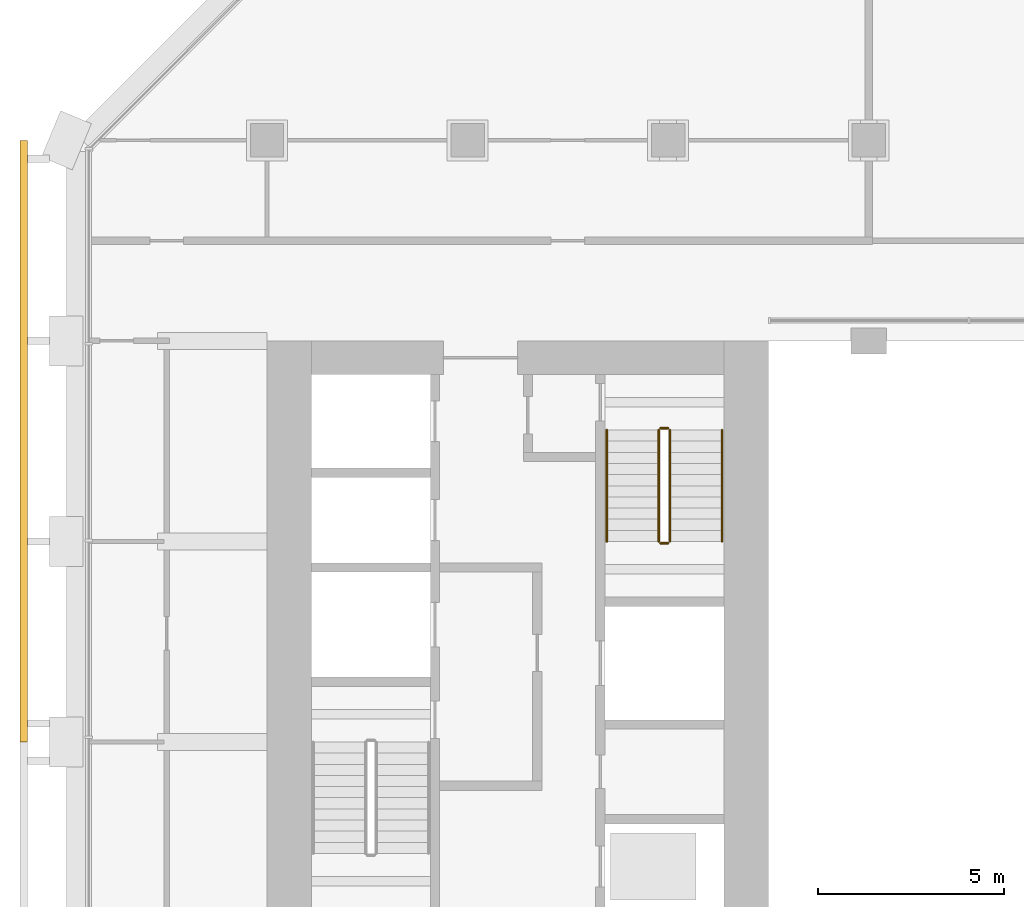
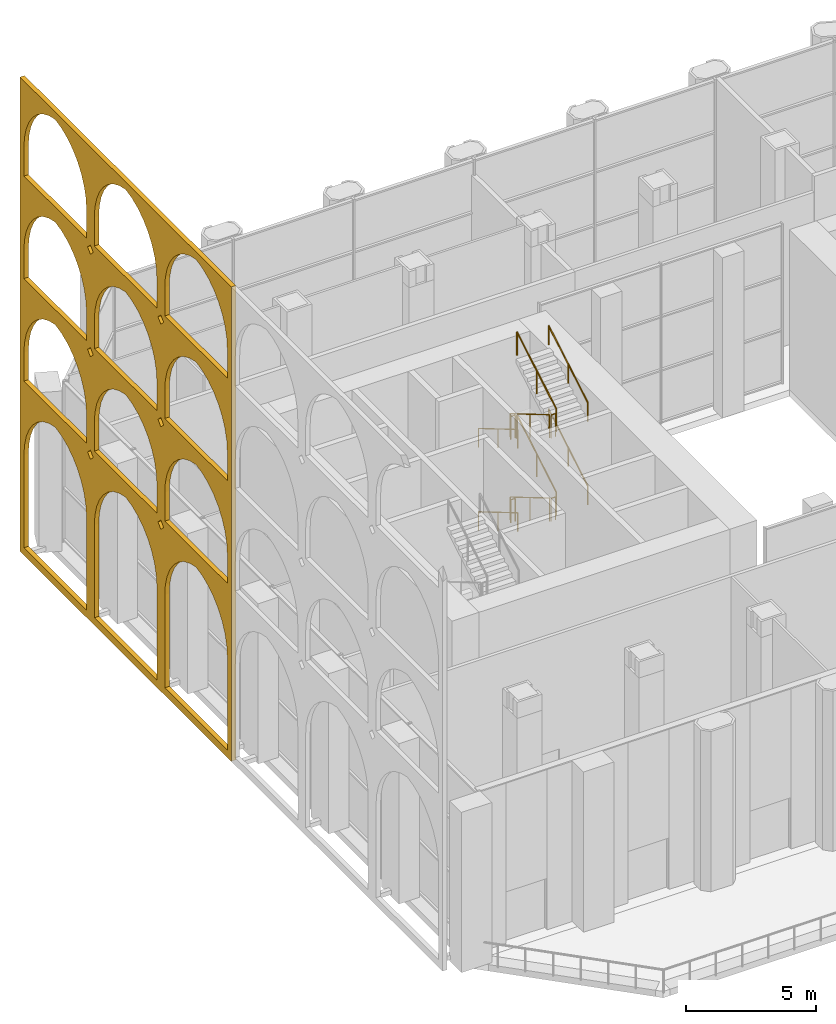
# One storey, part 15 of 20: 12 railings, 1 covering.
"""IFC4 building model written with IfcOpenShell, lengths in metres."""

import ifcopenshell
import ifcopenshell.guid

model = None  # the IFC model being written
_history = None  # IfcOwnerHistory: only IFC2X3 demands one
_inside = {}  # id of a spatial element -> (the spatial element, [elements in it])
_under = {}  # id of a project, library or spatial element -> (it, [spatial elements below it])
_declared = {}  # id of a project -> (the project, [libraries it declares])
_typed = {}  # id of a type object -> (the type object, [elements of that type])
_made_of = {}  # id of a material, layer set ... -> (it, [elements and type objects made of it])


def new_model(schema):
    """Start an empty IFC model of exactly this schema.

    Asked for "IFC4X3", IfcOpenShell would pick the latest addendum, in which some entities
    have other attributes; the version numbers below select the first issue.
    IFC2X3 requires an IfcOwnerHistory on every rooted entity: one is made here for all.
    """
    global model, _history
    if schema == "IFC4X3":
        model = ifcopenshell.file(schema_version=(4, 3, 0, 0))
    else:
        model = ifcopenshell.file(schema=schema)
    _inside.clear()
    _under.clear()
    _declared.clear()
    _typed.clear()
    _made_of.clear()
    _history = None
    if model.schema == "IFC2X3":
        org = make("IfcOrganization", Name="unknown")
        user = make(
            "IfcPersonAndOrganization",
            ThePerson=make("IfcPerson", FamilyName="unknown"),
            TheOrganization=org,
        )
        app = make(
            "IfcApplication",
            ApplicationDeveloper=org,
            Version="unknown",
            ApplicationFullName="unknown",
            ApplicationIdentifier="unknown",
        )
        _history = make(
            "IfcOwnerHistory",
            OwningUser=user,
            OwningApplication=app,
            ChangeAction="ADDED",
            CreationDate=0,
        )
    return model


def make(cls, **values):
    """One entity of the class cls with the attributes given. An attribute that is None is left unset."""
    return model.create_entity(
        cls, **{name: value for name, value in values.items() if value is not None}
    )


def rooted(cls, **values):
    """An entity with a GlobalId (a new one), such as an element, a storey or a relation."""
    return make(cls, GlobalId=ifcopenshell.guid.new(), OwnerHistory=_history, **values)


def si_unit(unit_type, name, prefix=None):
    """IfcSIUnit, for example si_unit("LENGTHUNIT", "METRE", prefix="MILLI")."""
    return make("IfcSIUnit", UnitType=unit_type, Prefix=prefix, Name=name)


def assignment(units):
    """IfcUnitAssignment: the units of a project."""
    return None if units is None else make("IfcUnitAssignment", Units=units)


def point(xyz):
    """IfcCartesianPoint."""
    return None if xyz is None else make("IfcCartesianPoint", Coordinates=xyz)


def direction(xyz):
    """IfcDirection."""
    return None if xyz is None else make("IfcDirection", DirectionRatios=xyz)


def frame(location, z_axis=None, x_axis=None):
    """IfcAxis2Placement3D, a coordinate frame: its origin and axes. An axis left out is left unset."""
    return make(
        "IfcAxis2Placement3D",
        Location=point(location),
        Axis=direction(z_axis),
        RefDirection=direction(x_axis),
    )


def frame_2d(location, x_axis=None):
    """IfcAxis2Placement2D, a coordinate frame in the plane: its origin and x axis."""
    return make(
        "IfcAxis2Placement2D", Location=point(location), RefDirection=direction(x_axis)
    )


def origin():
    """The frame at (0, 0, 0) with its axes left unset."""
    return frame((0.0, 0.0, 0.0))


def origin_2d():
    """The frame at (0, 0) in the plane with its x axis left unset."""
    return frame_2d((0.0, 0.0))


def place(relative_to, where):
    """IfcLocalPlacement: puts the frame where relative to a parent placement (None: the world)."""
    return make(
        "IfcLocalPlacement", PlacementRelTo=relative_to, RelativePlacement=where
    )


def context(
    kind, dimensions, precision=None, world=None, true_north=None, identifier=None
):
    """IfcGeometricRepresentationContext, for example the 3D "Model" context."""
    return make(
        "IfcGeometricRepresentationContext",
        ContextIdentifier=identifier,
        ContextType=kind,
        CoordinateSpaceDimension=dimensions,
        Precision=precision,
        WorldCoordinateSystem=world,
        TrueNorth=true_north,
    )


def subcontext(parent, identifier, kind, view, scale=None):
    """IfcGeometricRepresentationSubContext, for example "Body" below "Model"."""
    return make(
        "IfcGeometricRepresentationSubContext",
        ContextIdentifier=identifier,
        ContextType=kind,
        ParentContext=parent,
        TargetScale=scale,
        TargetView=view,
    )


def project(units=None, contexts=None):
    """IfcProject with its units and contexts."""
    return rooted(
        "IfcProject",
        Name="project",
        RepresentationContexts=contexts,
        UnitsInContext=assignment(units),
    )


def spatial(cls, under=None, at=None, **own):
    """A site, building, storey or space (cls), placed at a placement, below another one or the project."""
    s = rooted(cls, ObjectPlacement=at, **own)
    if under is not None:
        _under.setdefault(under.id(), (under, []))[1].append(s)
    return s


def polyline(points):
    """IfcPolyline through the points."""
    return make("IfcPolyline", Points=[point(p) for p in points])


def profile(cls, at=None, kind="AREA", **sizes):
    """A parametric profile (cls). Its sizes go by their IFC names, for example OverallWidth=200.0."""
    return make(cls, ProfileType=kind, Position=at, **sizes)


def circle(**sizes):
    """IfcCircleProfileDef."""
    return profile("IfcCircleProfileDef", **sizes)


def outline(outer, holes=None, kind="AREA"):
    """IfcArbitraryClosedProfileDef: a profile drawn as a closed curve; with holes, ...WithVoids."""
    if holes is None:
        return make("IfcArbitraryClosedProfileDef", ProfileType=kind, OuterCurve=outer)
    return make(
        "IfcArbitraryProfileDefWithVoids",
        ProfileType=kind,
        OuterCurve=outer,
        InnerCurves=holes,
    )


def extrude(swept, where, along, depth):
    """IfcExtrudedAreaSolid: the profile swept, set in the frame where, extruded along a direction by depth."""
    return make(
        "IfcExtrudedAreaSolid",
        SweptArea=swept,
        Position=where,
        ExtrudedDirection=direction(along),
        Depth=depth,
    )


def shape(context_of_items, identifier, shape_type, items):
    """IfcShapeRepresentation: the items that make up one representation, for example the "Body"."""
    return make(
        "IfcShapeRepresentation",
        ContextOfItems=context_of_items,
        RepresentationIdentifier=identifier,
        RepresentationType=shape_type,
        Items=items,
    )


def material(Name=None, Category=None):
    """IfcMaterial."""
    return make("IfcMaterial", Name=Name, Category=Category)


def layer(
    of_material, thickness, ventilated=None, Name=None, Category=None, Priority=None
):
    """IfcMaterialLayer: one layer of a wall or slab, of a material (None: an air gap)."""
    return make(
        "IfcMaterialLayer",
        Material=of_material,
        LayerThickness=thickness,
        IsVentilated=ventilated,
        Name=Name,
        Category=Category,
        Priority=Priority,
    )


def layer_set(layers, Name=None):
    """IfcMaterialLayerSet."""
    return make("IfcMaterialLayerSet", MaterialLayers=layers, LayerSetName=Name)


def made_of(thing, what):
    """Note that an element or type object is made of a material, layer set ...; save() writes the relation."""
    if what is not None:
        _made_of.setdefault(what.id(), (what, []))[1].append(thing)
    return thing


def type_object(cls, material=None, **own):
    """A type object (cls), such as IfcWallType, which elements share."""
    return made_of(rooted(cls, **own), material)


def element(
    cls,
    number,
    at=None,
    inside=None,
    cuts=None,
    type_object=None,
    material=None,
    context=None,
    identifier="Body",
    shape_type=None,
    held_by="IfcProductDefinitionShape",
    body=None,
    shapes=None,
    **own,
):
    """One element of the class cls, such as IfcWall. Its Tag is "e" and its number.

    at: its placement. inside: the storey or other place that contains it. cuts: it is an
    opening in that element (IfcRelVoidsElement). A single representation is given by context,
    identifier, shape_type and body (its items); several are given by shapes. held_by: the class
    of the entity that holds the representations. save() writes the other relations.
    """
    e = rooted(cls, Tag="e%d" % number, ObjectPlacement=at, **own)
    if body is not None:
        shapes = [shape(context, identifier, shape_type, body)]
    if shapes is not None:
        e.Representation = make(held_by, Representations=shapes)
    if inside is not None:
        _inside.setdefault(inside.id(), (inside, []))[1].append(e)
    if cuts is not None:
        rooted(
            "IfcRelVoidsElement", RelatingBuildingElement=cuts, RelatedOpeningElement=e
        )
    if type_object is not None:
        _typed.setdefault(type_object.id(), (type_object, []))[1].append(e)
    return made_of(e, material)


def aggregate(whole, parts):
    """IfcRelAggregates: a whole, such as a stair, and the parts it consists of."""
    return rooted("IfcRelAggregates", RelatingObject=whole, RelatedObjects=parts)


def save(model, path):
    """Write the relations noted so far, then the file.

    IfcRelAggregates (storeys below a building ...), IfcRelContainedInSpatialStructure (elements
    in a storey), IfcRelDefinesByType, IfcRelAssociatesMaterial and IfcRelDeclares: one each for
    every whole, place, type object, material and project.
    """
    for whole, parts in _under.values():
        aggregate(whole, parts)
    for where, things in _inside.values():
        rooted(
            "IfcRelContainedInSpatialStructure",
            RelatedElements=things,
            RelatingStructure=where,
        )
    for kind, things in _typed.values():
        rooted("IfcRelDefinesByType", RelatedObjects=things, RelatingType=kind)
    for what, things in _made_of.values():
        rooted("IfcRelAssociatesMaterial", RelatedObjects=things, RelatingMaterial=what)
    for by, libraries in _declared.values():
        rooted("IfcRelDeclares", RelatingContext=by, RelatedDefinitions=libraries)
    model.write(path)


model = new_model("IFC4")

# Units and contexts
model_context = context("Model", 3, precision=1e-05, world=origin(), true_north=direction((0.0, 1.0)))
body_context = subcontext(model_context, "Body", "Model", "MODEL_VIEW")
ifc_project = project(units=[si_unit("LENGTHUNIT", "METRE"), si_unit("AREAUNIT", "SQUARE_METRE"), si_unit("VOLUMEUNIT", "CUBIC_METRE"), si_unit("PLANEANGLEUNIT", "RADIAN"), si_unit("MASSUNIT", "GRAM", prefix="KILO")], contexts=[model_context])

# Site, building, storey
site_placement = place(None, origin())
site = spatial("IfcSite", under=ifc_project, at=site_placement, CompositionType="ELEMENT")
building_placement = place(site_placement, origin())
building = spatial("IfcBuilding", under=site, at=building_placement, Name="Tabaq Tower and Sports Hall", CompositionType="ELEMENT")
storey_placement = place(building_placement, frame((0.0, 0.0, 130.60009765625)))
storey = spatial("IfcBuildingStorey", under=building, at=storey_placement, Name="L31", CompositionType="ELEMENT", Elevation=130.60009765625)

# Railings
ifc_material_1 = material(Name="Stainless steel", Category="steel")
railing_type_1 = type_object("IfcRailingType", Name="Stair guard", PredefinedType="GUARDRAIL", material=ifc_material_1)
railing_1_placement = place(storey_placement, frame((15.949951171875, 30.0, 0.17724609375)))
element("IfcRailing", 1, at=railing_1_placement, inside=storey, type_object=railing_type_1, Name="L31 ST2 stair guard 1", PredefinedType="GUARDRAIL", context=body_context, shape_type="SweptSolid", body=[
    extrude(circle(Radius=0.02392578125, at=origin_2d()), frame((0.0, 0.0, 1.076171875), z_axis=(0.0, -0.86092931783, 0.508724591208), x_axis=(1.0, 0.0, 0.0)), (0.0, 0.0, 1.0), 3.484619140625),
    extrude(circle(Radius=0.02099609375, at=origin_2d()), origin(), (0.0, 0.0, 1.0), 1.052001953125),
    extrude(circle(Radius=0.02099609375, at=origin_2d()), frame((0.0, -1.5, 0.88623046875)), (0.0, 0.0, 1.0), 1.052001953125),
    extrude(circle(Radius=0.02099609375, at=origin_2d()), frame((0.0, -3.0, 1.772705078125)), (0.0, 0.0, 1.0), 1.052001953125),
])
railing_2_placement = place(storey_placement, frame((16.0, 26.949951171875, 1.949951171875)))
element("IfcRailing", 2, at=railing_2_placement, inside=storey, type_object=railing_type_1, Name="L31 ST2 stair guard 2", PredefinedType="GUARDRAIL", context=body_context, shape_type="SweptSolid", body=[
    extrude(circle(Radius=0.02392578125, at=origin_2d()), frame((0.0, 0.0, 1.076171875), z_axis=(1.0, 0.0, 0.0), x_axis=(0.0, 1.0, 0.0)), (0.0, 0.0, 1.0), 0.199951171875),
    extrude(circle(Radius=0.02099609375, at=origin_2d()), origin(), (0.0, 0.0, 1.0), 1.052001953125),
    extrude(circle(Radius=0.02099609375, at=origin_2d()), frame((0.199951171875, 0.0, 0.0)), (0.0, 0.0, 1.0), 1.052001953125),
])
railing_3_placement = place(storey_placement, frame((16.25, 27.0, 2.127197265625)))
element("IfcRailing", 3, at=railing_3_placement, inside=storey, type_object=railing_type_1, Name="L31 ST2 stair guard 3", PredefinedType="GUARDRAIL", context=body_context, shape_type="SweptSolid", body=[
    extrude(circle(Radius=0.02392578125, at=origin_2d()), frame((0.0, 0.0, 1.076171875), z_axis=(0.0, 0.86092931783, 0.508724591208), x_axis=(-1.0, 0.0, 0.0)), (0.0, 0.0, 1.0), 3.484619140625),
    extrude(circle(Radius=0.02099609375, at=origin_2d()), origin(), (0.0, 0.0, 1.0), 1.052001953125),
    extrude(circle(Radius=0.02099609375, at=origin_2d()), frame((0.0, 1.5, 0.88623046875)), (0.0, 0.0, 1.0), 1.052001953125),
    extrude(circle(Radius=0.02099609375, at=origin_2d()), frame((0.0, 3.0, 1.772705078125)), (0.0, 0.0, 1.0), 1.052001953125),
])
railing_4_placement = place(storey_placement, frame((16.0, 30.050048828125, 3.89990234375)))
element("IfcRailing", 4, at=railing_4_placement, inside=storey, type_object=railing_type_1, Name="L31 ST2 stair guard 4", PredefinedType="GUARDRAIL", context=body_context, shape_type="SweptSolid", body=[
    extrude(circle(Radius=0.02392578125, at=origin_2d()), frame((0.0, 0.0, 1.076171875), z_axis=(1.0, 0.0, 0.0), x_axis=(0.0, 1.0, 0.0)), (0.0, 0.0, 1.0), 0.199951171875),
    extrude(circle(Radius=0.02099609375, at=origin_2d()), origin(), (0.0, 0.0, 1.0), 1.052001953125),
    extrude(circle(Radius=0.02099609375, at=origin_2d()), frame((0.199951171875, 0.0, 0.0)), (0.0, 0.0, 1.0), 1.052001953125),
])
railing_5_placement = place(storey_placement, frame((15.949951171875, 30.0, 4.0771484375)))
element("IfcRailing", 5, at=railing_5_placement, inside=storey, type_object=railing_type_1, Name="L31 ST2 stair guard 5", PredefinedType="GUARDRAIL", context=body_context, shape_type="SweptSolid", body=[
    extrude(circle(Radius=0.02392578125, at=origin_2d()), frame((0.0, 0.0, 1.076171875), z_axis=(0.0, -0.86092931783, 0.508724591208), x_axis=(1.0, 0.0, 0.0)), (0.0, 0.0, 1.0), 3.484619140625),
    extrude(circle(Radius=0.02099609375, at=origin_2d()), origin(), (0.0, 0.0, 1.0), 1.052001953125),
    extrude(circle(Radius=0.02099609375, at=origin_2d()), frame((0.0, -1.5, 0.88623046875)), (0.0, 0.0, 1.0), 1.052001953125),
    extrude(circle(Radius=0.02099609375, at=origin_2d()), frame((0.0, -3.0, 1.772705078125)), (0.0, 0.0, 1.0), 1.052001953125),
])
railing_6_placement = place(storey_placement, frame((16.0, 26.949951171875, 5.849853515625)))
element("IfcRailing", 6, at=railing_6_placement, inside=storey, type_object=railing_type_1, Name="L31 ST2 stair guard 6", PredefinedType="GUARDRAIL", context=body_context, shape_type="SweptSolid", body=[
    extrude(circle(Radius=0.02392578125, at=origin_2d()), frame((0.0, 0.0, 1.076171875), z_axis=(1.0, 0.0, 0.0), x_axis=(0.0, 1.0, 0.0)), (0.0, 0.0, 1.0), 0.199951171875),
    extrude(circle(Radius=0.02099609375, at=origin_2d()), origin(), (0.0, 0.0, 1.0), 1.052001953125),
    extrude(circle(Radius=0.02099609375, at=origin_2d()), frame((0.199951171875, 0.0, 0.0)), (0.0, 0.0, 1.0), 1.052001953125),
])
railing_7_placement = place(storey_placement, frame((16.25, 27.0, 6.027099609375)))
element("IfcRailing", 7, at=railing_7_placement, inside=storey, type_object=railing_type_1, Name="L31 ST2 stair guard 7", PredefinedType="GUARDRAIL", context=body_context, shape_type="SweptSolid", body=[
    extrude(circle(Radius=0.02392578125, at=origin_2d()), frame((0.0, 0.0, 1.076171875), z_axis=(0.0, 0.86092931783, 0.508724591208), x_axis=(-1.0, 0.0, 0.0)), (0.0, 0.0, 1.0), 3.484619140625),
    extrude(circle(Radius=0.02099609375, at=origin_2d()), origin(), (0.0, 0.0, 1.0), 1.052001953125),
    extrude(circle(Radius=0.02099609375, at=origin_2d()), frame((0.0, 1.5, 0.88623046875)), (0.0, 0.0, 1.0), 1.052001953125),
    extrude(circle(Radius=0.02099609375, at=origin_2d()), frame((0.0, 3.0, 1.772705078125)), (0.0, 0.0, 1.0), 1.052001953125),
])
railing_8_placement = place(storey_placement, frame((16.0, 30.050048828125, 0.0)))
element("IfcRailing", 8, at=railing_8_placement, inside=storey, type_object=railing_type_1, Name="L31 ST2 stair guard 8", PredefinedType="GUARDRAIL", context=body_context, shape_type="SweptSolid", body=[
    extrude(circle(Radius=0.02392578125, at=origin_2d()), frame((0.0, 0.0, 1.076171875), z_axis=(1.0, 0.0, 0.0), x_axis=(0.0, 1.0, 0.0)), (0.0, 0.0, 1.0), 0.199951171875),
    extrude(circle(Radius=0.02099609375, at=origin_2d()), origin(), (0.0, 0.0, 1.0), 1.052001953125),
    extrude(circle(Radius=0.02099609375, at=origin_2d()), frame((0.199951171875, 0.0, 0.0)), (0.0, 0.0, 1.0), 1.052001953125),
])
ifc_material_2 = material(Name="Stainless steel", Category="steel")
railing_type_2 = type_object("IfcRailingType", Name="Stair handrail", PredefinedType="HANDRAIL", material=ifc_material_2)
railing_9_placement = place(storey_placement, frame((14.550048828125, 30.0, 0.17724609375)))
element("IfcRailing", 9, at=railing_9_placement, inside=storey, type_object=railing_type_2, Name="L31 ST2 stair handrail 1", PredefinedType="HANDRAIL", context=body_context, shape_type="SweptSolid", body=[
    extrude(circle(Radius=0.02392578125, at=origin_2d()), frame((0.0, 0.0, 0.8759765625), z_axis=(0.0, -0.86092931783, 0.508724591208), x_axis=(1.0, 0.0, 0.0)), (0.0, 0.0, 1.0), 3.484619140625),
    extrude(circle(Radius=0.02099609375, at=origin_2d()), origin(), (0.0, 0.0, 1.0), 0.851806640625),
    extrude(circle(Radius=0.02099609375, at=origin_2d()), frame((0.0, -1.5, 0.88623046875)), (0.0, 0.0, 1.0), 0.851806640625),
    extrude(circle(Radius=0.02099609375, at=origin_2d()), frame((0.0, -3.0, 1.772705078125)), (0.0, 0.0, 1.0), 0.851806640625),
])
railing_10_placement = place(storey_placement, frame((17.64990234375, 27.0, 2.127197265625)))
element("IfcRailing", 10, at=railing_10_placement, inside=storey, type_object=railing_type_2, Name="L31 ST2 stair handrail 2", PredefinedType="HANDRAIL", context=body_context, shape_type="SweptSolid", body=[
    extrude(circle(Radius=0.02392578125, at=origin_2d()), frame((0.0, 0.0, 0.8759765625), z_axis=(0.0, 0.86092931783, 0.508724591208), x_axis=(-1.0, 0.0, 0.0)), (0.0, 0.0, 1.0), 3.484619140625),
    extrude(circle(Radius=0.02099609375, at=origin_2d()), origin(), (0.0, 0.0, 1.0), 0.851806640625),
    extrude(circle(Radius=0.02099609375, at=origin_2d()), frame((0.0, 1.5, 0.88623046875)), (0.0, 0.0, 1.0), 0.851806640625),
    extrude(circle(Radius=0.02099609375, at=origin_2d()), frame((0.0, 3.0, 1.772705078125)), (0.0, 0.0, 1.0), 0.851806640625),
])
railing_11_placement = place(storey_placement, frame((14.550048828125, 30.0, 4.0771484375)))
element("IfcRailing", 11, at=railing_11_placement, inside=storey, type_object=railing_type_2, Name="L31 ST2 stair handrail 3", PredefinedType="HANDRAIL", context=body_context, shape_type="SweptSolid", body=[
    extrude(circle(Radius=0.02392578125, at=origin_2d()), frame((0.0, 0.0, 0.8759765625), z_axis=(0.0, -0.86092931783, 0.508724591208), x_axis=(1.0, 0.0, 0.0)), (0.0, 0.0, 1.0), 3.484619140625),
    extrude(circle(Radius=0.02099609375, at=origin_2d()), origin(), (0.0, 0.0, 1.0), 0.851806640625),
    extrude(circle(Radius=0.02099609375, at=origin_2d()), frame((0.0, -1.5, 0.88623046875)), (0.0, 0.0, 1.0), 0.851806640625),
    extrude(circle(Radius=0.02099609375, at=origin_2d()), frame((0.0, -3.0, 1.772705078125)), (0.0, 0.0, 1.0), 0.851806640625),
])
railing_12_placement = place(storey_placement, frame((17.64990234375, 27.0, 6.027099609375)))
element("IfcRailing", 12, at=railing_12_placement, inside=storey, type_object=railing_type_2, Name="L31 ST2 stair handrail 4", PredefinedType="HANDRAIL", context=body_context, shape_type="SweptSolid", body=[
    extrude(circle(Radius=0.02392578125, at=origin_2d()), frame((0.0, 0.0, 0.8759765625), z_axis=(0.0, 0.86092931783, 0.508724591208), x_axis=(-1.0, 0.0, 0.0)), (0.0, 0.0, 1.0), 3.484619140625),
    extrude(circle(Radius=0.02099609375, at=origin_2d()), origin(), (0.0, 0.0, 1.0), 0.851806640625),
    extrude(circle(Radius=0.02099609375, at=origin_2d()), frame((0.0, 1.5, 0.88623046875)), (0.0, 0.0, 1.0), 0.851806640625),
    extrude(circle(Radius=0.02099609375, at=origin_2d()), frame((0.0, 3.0, 1.772705078125)), (0.0, 0.0, 1.0), 0.851806640625),
])

# Covering
ifc_material_3 = material(Name="White precast concrete C60/75 pierced screen", Category="concrete")
ifc_layer = layer(ifc_material_3, 0.199951171875)
ifc_layer_set = layer_set([ifc_layer], Name="TRACERY SCREEN 200 C60/75")
covering_type = type_object("IfcCoveringType", Name="TRACERY SCREEN 200 C60/75", PredefinedType="CLADDING", material=ifc_layer_set)
covering_placement = place(storey_placement, frame((-1.14990234375, 37.800048828125, 0.0), z_axis=(0.0, 0.0, 1.0), x_axis=(0.0, -1.0, 0.0)))
element("IfcCovering", 13, at=covering_placement, inside=storey, type_object=covering_type, Name="Tracery screen S1 W L31-L34", PredefinedType="CLADDING", context=body_context, shape_type="SweptSolid", body=[
    extrude(outline(polyline([(0.0, 0.0), (16.199951171875, 0.0), (16.199951171875, 22.199951171875), (0.0, 22.199951171875), (0.0, 0.0)]), holes=[polyline([(0.300048828125, 0.349853515625), (5.10009765625, 0.349853515625), (5.10009765625, 4.68994140625), (5.055419921875, 5.18603515625), (4.92333984375, 5.666015625), (4.7080078125, 6.115234375), (4.416015625, 6.5185546875), (4.05712890625, 6.86376953125), (3.642333984375, 7.139404296875), (3.18505859375, 7.3369140625), (2.699951171875, 7.449951171875), (2.21484375, 7.3369140625), (1.7578125, 7.139404296875), (1.343017578125, 6.86376953125), (0.98388671875, 6.5185546875), (0.69189453125, 6.115234375), (0.4765625, 5.666015625), (0.344482421875, 5.18603515625), (0.300048828125, 4.68994140625), (0.300048828125, 0.349853515625)]), polyline([(5.699951171875, 0.349853515625), (10.5, 0.349853515625), (10.5, 4.68994140625), (10.45556640625, 5.18603515625), (10.323486328125, 5.666015625), (10.10791015625, 6.115234375), (9.816162109375, 6.5185546875), (9.45703125, 6.86376953125), (9.042236328125, 7.139404296875), (8.5849609375, 7.3369140625), (8.10009765625, 7.449951171875), (7.614990234375, 7.3369140625), (7.15771484375, 7.139404296875), (6.742919921875, 6.86376953125), (6.384033203125, 6.5185546875), (6.092041015625, 6.115234375), (5.87646484375, 5.666015625), (5.744384765625, 5.18603515625), (5.699951171875, 4.68994140625), (5.699951171875, 0.349853515625)]), polyline([(11.10009765625, 0.349853515625), (15.89990234375, 0.349853515625), (15.89990234375, 4.68994140625), (15.85546875, 5.18603515625), (15.723388671875, 5.666015625), (15.508056640625, 6.115234375), (15.216064453125, 6.5185546875), (14.85693359375, 6.86376953125), (14.442138671875, 7.139404296875), (13.985107421875, 7.3369140625), (13.5, 7.449951171875), (13.014892578125, 7.3369140625), (12.557861328125, 7.139404296875), (12.14306640625, 6.86376953125), (11.783935546875, 6.5185546875), (11.491943359375, 6.115234375), (11.276611328125, 5.666015625), (11.14453125, 5.18603515625), (11.10009765625, 4.68994140625), (11.10009765625, 0.349853515625)]), polyline([(0.300048828125, 8.14990234375), (5.10009765625, 8.14990234375), (5.10009765625, 9.489990234375), (5.055419921875, 9.98583984375), (4.92333984375, 10.466064453125), (4.7080078125, 10.9150390625), (4.416015625, 11.318603515625), (4.05712890625, 11.663818359375), (3.642333984375, 11.939453125), (3.18505859375, 12.136962890625), (2.699951171875, 12.25), (2.21484375, 12.136962890625), (1.7578125, 11.939453125), (1.343017578125, 11.663818359375), (0.98388671875, 11.318603515625), (0.69189453125, 10.9150390625), (0.4765625, 10.466064453125), (0.344482421875, 9.98583984375), (0.300048828125, 9.489990234375), (0.300048828125, 8.14990234375)]), polyline([(5.699951171875, 8.14990234375), (10.5, 8.14990234375), (10.5, 9.489990234375), (10.45556640625, 9.98583984375), (10.323486328125, 10.466064453125), (10.10791015625, 10.9150390625), (9.816162109375, 11.318603515625), (9.45703125, 11.663818359375), (9.042236328125, 11.939453125), (8.5849609375, 12.136962890625), (8.10009765625, 12.25), (7.614990234375, 12.136962890625), (7.15771484375, 11.939453125), (6.742919921875, 11.663818359375), (6.384033203125, 11.318603515625), (6.092041015625, 10.9150390625), (5.87646484375, 10.466064453125), (5.744384765625, 9.98583984375), (5.699951171875, 9.489990234375), (5.699951171875, 8.14990234375)]), polyline([(11.10009765625, 8.14990234375), (15.89990234375, 8.14990234375), (15.89990234375, 9.489990234375), (15.85546875, 9.98583984375), (15.723388671875, 10.466064453125), (15.508056640625, 10.9150390625), (15.216064453125, 11.318603515625), (14.85693359375, 11.663818359375), (14.442138671875, 11.939453125), (13.985107421875, 12.136962890625), (13.5, 12.25), (13.014892578125, 12.136962890625), (12.557861328125, 11.939453125), (12.14306640625, 11.663818359375), (11.783935546875, 11.318603515625), (11.491943359375, 10.9150390625), (11.276611328125, 10.466064453125), (11.14453125, 9.98583984375), (11.10009765625, 9.489990234375), (11.10009765625, 8.14990234375)]), polyline([(0.300048828125, 12.949951171875), (5.10009765625, 12.949951171875), (5.10009765625, 14.289794921875), (5.055419921875, 14.785888671875), (4.92333984375, 15.26611328125), (4.7080078125, 15.715087890625), (4.416015625, 16.11865234375), (4.05712890625, 16.4638671875), (3.642333984375, 16.739501953125), (3.18505859375, 16.93701171875), (2.699951171875, 17.0498046875), (2.21484375, 16.93701171875), (1.7578125, 16.739501953125), (1.343017578125, 16.4638671875), (0.98388671875, 16.11865234375), (0.69189453125, 15.715087890625), (0.4765625, 15.26611328125), (0.344482421875, 14.785888671875), (0.300048828125, 14.289794921875), (0.300048828125, 12.949951171875)]), polyline([(5.699951171875, 12.949951171875), (10.5, 12.949951171875), (10.5, 14.289794921875), (10.45556640625, 14.785888671875), (10.323486328125, 15.26611328125), (10.10791015625, 15.715087890625), (9.816162109375, 16.11865234375), (9.45703125, 16.4638671875), (9.042236328125, 16.739501953125), (8.5849609375, 16.93701171875), (8.10009765625, 17.0498046875), (7.614990234375, 16.93701171875), (7.15771484375, 16.739501953125), (6.742919921875, 16.4638671875), (6.384033203125, 16.11865234375), (6.092041015625, 15.715087890625), (5.87646484375, 15.26611328125), (5.744384765625, 14.785888671875), (5.699951171875, 14.289794921875), (5.699951171875, 12.949951171875)]), polyline([(11.10009765625, 12.949951171875), (15.89990234375, 12.949951171875), (15.89990234375, 14.289794921875), (15.85546875, 14.785888671875), (15.723388671875, 15.26611328125), (15.508056640625, 15.715087890625), (15.216064453125, 16.11865234375), (14.85693359375, 16.4638671875), (14.442138671875, 16.739501953125), (13.985107421875, 16.93701171875), (13.5, 17.0498046875), (13.014892578125, 16.93701171875), (12.557861328125, 16.739501953125), (12.14306640625, 16.4638671875), (11.783935546875, 16.11865234375), (11.491943359375, 15.715087890625), (11.276611328125, 15.26611328125), (11.14453125, 14.785888671875), (11.10009765625, 14.289794921875), (11.10009765625, 12.949951171875)]), polyline([(0.300048828125, 17.75), (5.10009765625, 17.75), (5.10009765625, 19.08984375), (5.055419921875, 19.5859375), (4.92333984375, 20.066162109375), (4.7080078125, 20.51513671875), (4.416015625, 20.918701171875), (4.05712890625, 21.263671875), (3.642333984375, 21.53955078125), (3.18505859375, 21.737060546875), (2.699951171875, 21.849853515625), (2.21484375, 21.737060546875), (1.7578125, 21.53955078125), (1.343017578125, 21.263671875), (0.98388671875, 20.918701171875), (0.69189453125, 20.51513671875), (0.4765625, 20.066162109375), (0.344482421875, 19.5859375), (0.300048828125, 19.08984375), (0.300048828125, 17.75)]), polyline([(5.699951171875, 17.75), (10.5, 17.75), (10.5, 19.08984375), (10.45556640625, 19.5859375), (10.323486328125, 20.066162109375), (10.10791015625, 20.51513671875), (9.816162109375, 20.918701171875), (9.45703125, 21.263671875), (9.042236328125, 21.53955078125), (8.5849609375, 21.737060546875), (8.10009765625, 21.849853515625), (7.614990234375, 21.737060546875), (7.15771484375, 21.53955078125), (6.742919921875, 21.263671875), (6.384033203125, 20.918701171875), (6.092041015625, 20.51513671875), (5.87646484375, 20.066162109375), (5.744384765625, 19.5859375), (5.699951171875, 19.08984375), (5.699951171875, 17.75)]), polyline([(11.10009765625, 17.75), (15.89990234375, 17.75), (15.89990234375, 19.08984375), (15.85546875, 19.5859375), (15.723388671875, 20.066162109375), (15.508056640625, 20.51513671875), (15.216064453125, 20.918701171875), (14.85693359375, 21.263671875), (14.442138671875, 21.53955078125), (13.985107421875, 21.737060546875), (13.5, 21.849853515625), (13.014892578125, 21.737060546875), (12.557861328125, 21.53955078125), (12.14306640625, 21.263671875), (11.783935546875, 20.918701171875), (11.491943359375, 20.51513671875), (11.276611328125, 20.066162109375), (11.14453125, 19.5859375), (11.10009765625, 19.08984375), (11.10009765625, 17.75)]), polyline([(5.6201171875, 7.7998046875), (5.39990234375, 8.02001953125), (5.179931640625, 7.7998046875), (5.39990234375, 7.579833984375), (5.6201171875, 7.7998046875)]), polyline([(11.02001953125, 7.7998046875), (10.800048828125, 8.02001953125), (10.580078125, 7.7998046875), (10.800048828125, 7.579833984375), (11.02001953125, 7.7998046875)]), polyline([(5.6201171875, 12.599853515625), (5.39990234375, 12.81982421875), (5.179931640625, 12.599853515625), (5.39990234375, 12.3798828125), (5.6201171875, 12.599853515625)]), polyline([(11.02001953125, 12.599853515625), (10.800048828125, 12.81982421875), (10.580078125, 12.599853515625), (10.800048828125, 12.3798828125), (11.02001953125, 12.599853515625)]), polyline([(5.6201171875, 17.39990234375), (5.39990234375, 17.619873046875), (5.179931640625, 17.39990234375), (5.39990234375, 17.179931640625), (5.6201171875, 17.39990234375)]), polyline([(11.02001953125, 17.39990234375), (10.800048828125, 17.619873046875), (10.580078125, 17.39990234375), (10.800048828125, 17.179931640625), (11.02001953125, 17.39990234375)])]), frame((0.0, 0.10009765625, 0.0), z_axis=(0.0, -1.0, 0.0), x_axis=(1.0, 0.0, 0.0)), (0.0, 0.0, 1.0), 0.199951171875),
])

save(model, "model.ifc")
